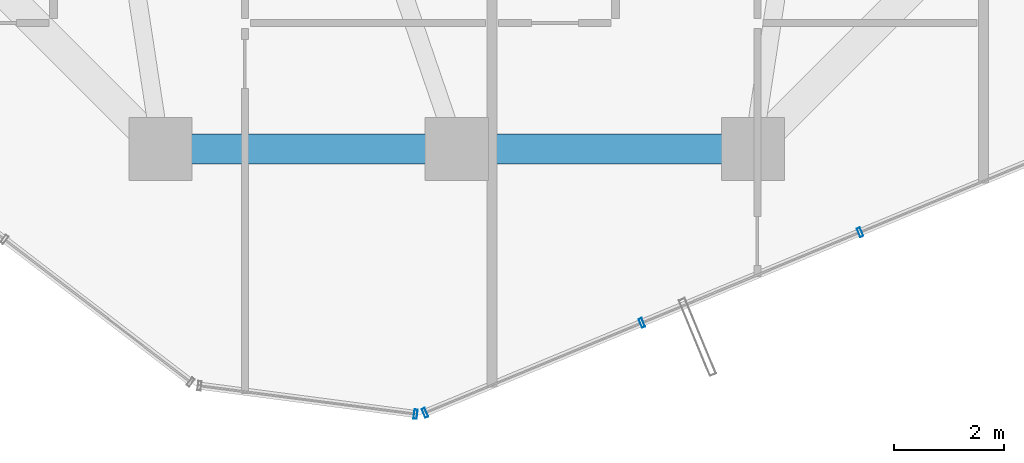
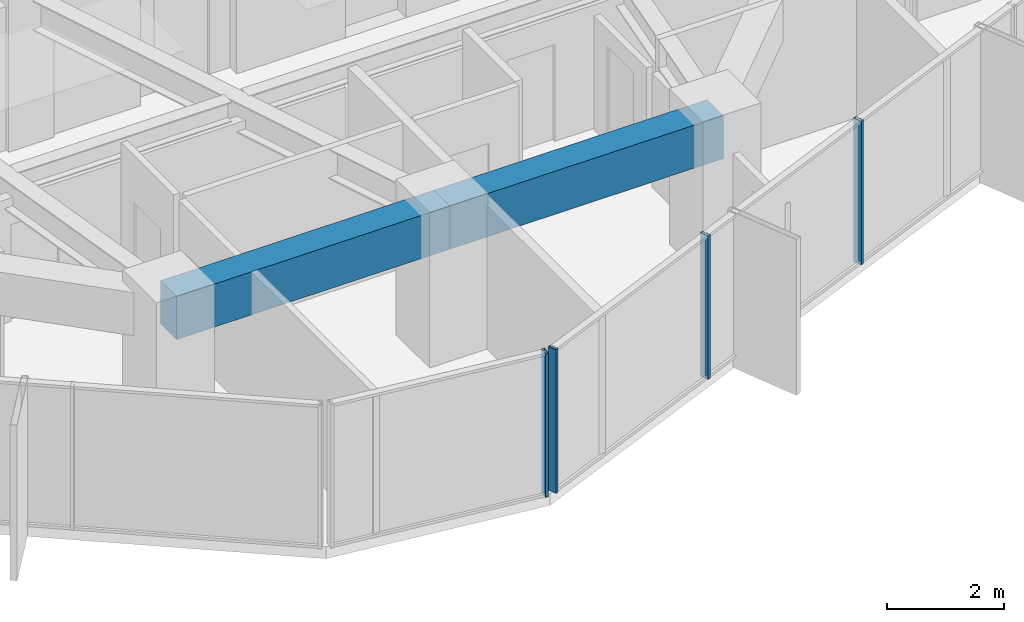
# One storey, part 6 of 30: 4 members, 2 beams, 2 elements without a shape of their own.
"""IFC4 building model written with IfcOpenShell, lengths in metres."""

from ifc_helpers import new_model, si_unit, direction, frame, origin, origin_2d, place, context, subcontext, project, spatial, rectangle, hollow_rectangle, extrude, source, transform, mapped, material, layer, layer_set, material_profile, profile_set, type_object, element, aggregate, save


model = new_model("IFC4")

# Units and contexts
model_context = context("Model", 3, precision=1e-05, world=origin(), true_north=direction((0.0, 1.0)))
body_context = subcontext(model_context, "Body", "Model", "MODEL_VIEW")
ifc_project = project(units=[si_unit("LENGTHUNIT", "METRE"), si_unit("AREAUNIT", "SQUARE_METRE"), si_unit("VOLUMEUNIT", "CUBIC_METRE"), si_unit("PLANEANGLEUNIT", "RADIAN"), si_unit("MASSUNIT", "GRAM", prefix="KILO")], contexts=[model_context])

# Site, building, storey
site_placement = place(None, origin())
site = spatial("IfcSite", under=ifc_project, at=site_placement, CompositionType="ELEMENT")
building_placement = place(site_placement, origin())
building = spatial("IfcBuilding", under=site, at=building_placement, Name="Veraguas Prism Commons", CompositionType="ELEMENT")
storey_placement = place(building_placement, frame((0.0, 0.0, 102.449951171875)))
storey = spatial("IfcBuildingStorey", under=building, at=storey_placement, Name="L28", CompositionType="ELEMENT", Elevation=102.449951171875)

# Beams
ifc_material_1 = material(Name="Concrete C50/60", Category="concrete")
ifc_material_profile_1 = material_profile(ifc_material_1, rectangle(XDim=0.550048828125, YDim=0.89990234375, at=origin_2d()), Name="RC550X900")
ifc_profile_set_1 = profile_set([ifc_material_profile_1], Name="Concrete C50/60")
beam_type = type_object("IfcBeamType", Name="Perimeter Spandrel Lower RC 550x900", PredefinedType="SPANDREL", material=ifc_profile_set_1)
for number, where, z_axis, x_axis, name in (
    (1, (18.60009765625, 7.800048828125, 2.550048828125), (1.0, 0.0, 0.0), (0.0, 1.0, 0.0), "Perimeter Spandrel Beam L28-SP10"),
    (2, (24.0, 7.800048828125, 2.550048828125), (1.0, 0.0, 0.0), (0.0, 1.0, 0.0), "Perimeter Spandrel Beam L28-SP11"),
):
    element("IfcBeam", number, at=place(storey_placement, frame(where, z_axis=z_axis, x_axis=x_axis)), inside=storey, type_object=beam_type, Name=name, PredefinedType="SPANDREL", context=body_context, shape_type="SweptSolid", body=[
        extrude(rectangle(XDim=0.550048828125, YDim=0.89990234375, at=origin_2d()), origin(), (0.0, 0.0, 1.0), 5.39990234375),
    ])

# Curtain wall, members
ifc_material_2 = material(Name="Anodised aluminium EN AW-6063 T6", Category="aluminium")
ifc_layer = layer(ifc_material_2, 0.169921875, Name="Unitised Flush Curtain Wall Zone 2", Category="aluminium")
ifc_layer_set = layer_set([ifc_layer], Name="Anodised aluminium EN AW-6063 T6")
curtain_wall_type = type_object("IfcCurtainWallType", Name="Unitised Flush Curtain Wall Zone 2", PredefinedType="NOTDEFINED", material=ifc_layer_set)
curtain_wall_1_placement = place(storey_placement, origin())
curtain_wall_1 = element("IfcCurtainWall", 3, at=curtain_wall_1_placement, inside=storey, type_object=curtain_wall_type, Name="Tower Facade Curtain Wall L28-F5", PredefinedType="NOTDEFINED")
ifc_material_profile_2 = material_profile(ifc_material_2, hollow_rectangle(XDim=0.06005859375, YDim=0.169921875, WallThickness=0.00390625, at=origin_2d()), Name="AL60X170X4")
ifc_profile_set_2 = profile_set([ifc_material_profile_2], Name="Anodised aluminium EN AW-6063 T6")
member_type = type_object("IfcMemberType", Name="Curtain Wall Mullion Lower AL 60x170x4", PredefinedType="MULLION", material=ifc_profile_set_2)
shared_shape = source(origin(), body_context, "Body", "SweptSolid", [
    extrude(hollow_rectangle(XDim=0.06005859375, YDim=0.169921875, WallThickness=0.00390625, at=origin_2d()), origin(), (0.0, 0.0, 1.0), 3.0),
])
member_1_placement = place(storey_placement, frame((23.421875, 2.9912109375, 0.0), z_axis=(0.0, 0.0, 1.0), x_axis=(0.92361080588, 0.383331552657, 0.0)))
member_1 = element("IfcMember", 4, at=member_1_placement, type_object=member_type, Name="CW-Z2 Mullion 1", PredefinedType="MULLION", context=body_context, shape_type="MappedRepresentation", body=[
    mapped(shared_shape, transform((0.0, 0.0, 0.0), scale=1.0)),
])
member_2_placement = place(storey_placement, frame((27.373779296875, 4.631103515625, 0.0), z_axis=(0.0, 0.0, 1.0), x_axis=(0.92361080588, 0.383331552657, 0.0)))
member_2 = element("IfcMember", 5, at=member_2_placement, type_object=member_type, Name="CW-Z2 Mullion 2", PredefinedType="MULLION", context=body_context, shape_type="MappedRepresentation", body=[
    mapped(shared_shape, transform((0.0, 0.0, 0.0), scale=1.0)),
])
member_3_placement = place(storey_placement, frame((31.353271484375, 6.282958984375, 0.0), z_axis=(0.0, 0.0, 1.0), x_axis=(0.92361080588, 0.383331552657, 0.0)))
member_3 = element("IfcMember", 6, at=member_3_placement, type_object=member_type, Name="CW-Z2 Mullion 3", PredefinedType="MULLION", context=body_context, shape_type="MappedRepresentation", body=[
    mapped(shared_shape, transform((0.0, 0.0, 0.0), scale=1.0)),
])
aggregate(curtain_wall_1, [member_1, member_2, member_3])

# Curtain wall, member
curtain_wall_2_placement = place(storey_placement, origin())
curtain_wall_2 = element("IfcCurtainWall", 7, at=curtain_wall_2_placement, inside=storey, type_object=curtain_wall_type, Name="Chamfer Curtain Wall L28-C5", PredefinedType="NOTDEFINED")
member_4_placement = place(storey_placement, frame((23.24951171875, 2.96826171875, 0.0), z_axis=(0.0, 0.0, 1.0), x_axis=(0.991536877208, -0.129825348594, 0.0)))
member_4 = element("IfcMember", 8, at=member_4_placement, type_object=member_type, Name="CW-Z2 Mullion 2", PredefinedType="MULLION", context=body_context, shape_type="MappedRepresentation", body=[
    mapped(shared_shape, transform((0.0, 0.0, 0.0), scale=1.0)),
])
aggregate(curtain_wall_2, [member_4])

save(model, "model.ifc")
